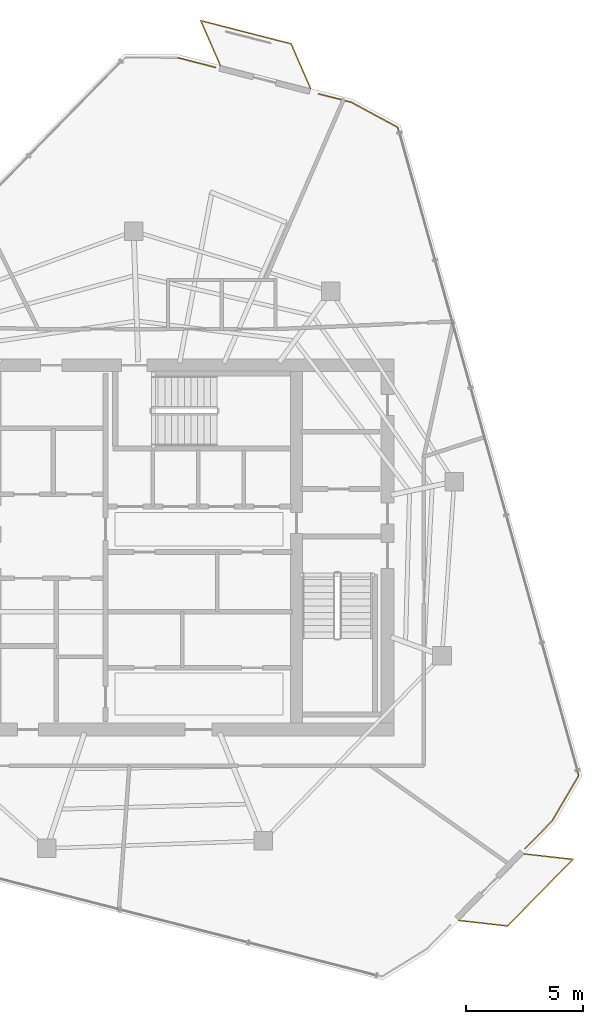
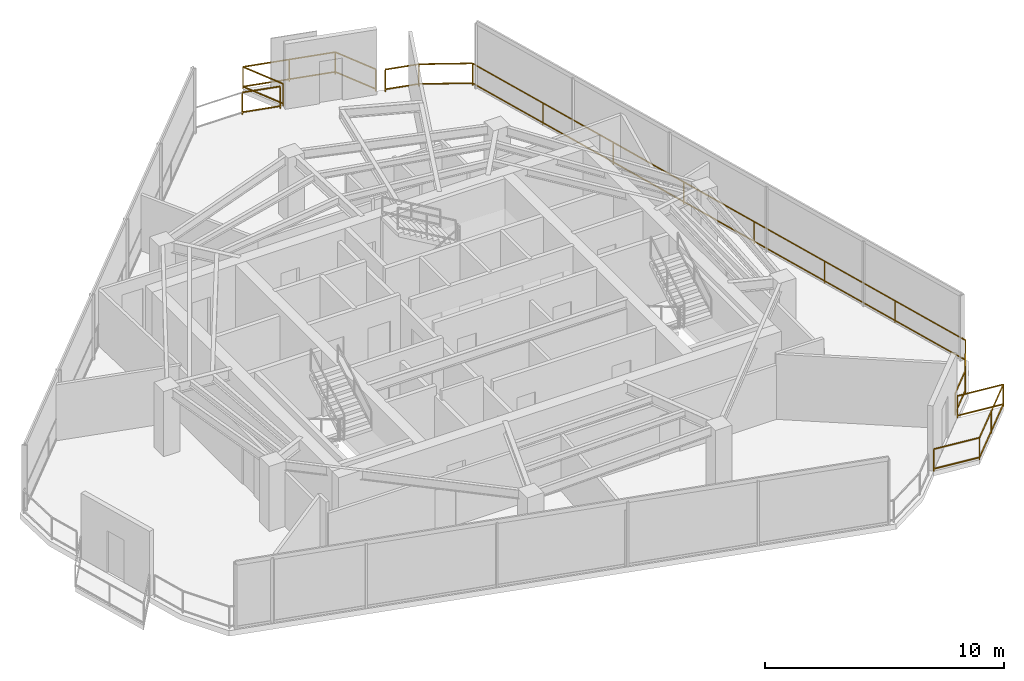
# One storey, part 18 of 18: 4 railings.
"""IFC4 building model written with IfcOpenShell, lengths in metres."""

from ifc_helpers import new_model, si_unit, direction, frame, origin, origin_2d, place, context, subcontext, project, spatial, rectangle, extrude, material, type_object, element, save


model = new_model("IFC4")

# Units and contexts
model_context = context("Model", 3, precision=1e-05, world=origin(), true_north=direction((0.0, 1.0)))
body_context = subcontext(model_context, "Body", "Model", "MODEL_VIEW")
ifc_project = project(units=[si_unit("LENGTHUNIT", "METRE"), si_unit("AREAUNIT", "SQUARE_METRE"), si_unit("VOLUMEUNIT", "CUBIC_METRE"), si_unit("PLANEANGLEUNIT", "RADIAN"), si_unit("MASSUNIT", "GRAM", prefix="KILO")], contexts=[model_context])

# Site, building, storey
site_placement = place(None, origin())
site = spatial("IfcSite", under=ifc_project, at=site_placement, CompositionType="ELEMENT")
building_placement = place(site_placement, origin())
building = spatial("IfcBuilding", under=site, at=building_placement, Name="Qarnah Convention Tower", CompositionType="ELEMENT")
storey_placement = place(building_placement, frame((0.0, 0.0, 239.10009765625)))
storey = spatial("IfcBuildingStorey", under=building, at=storey_placement, Name="L64", CompositionType="ELEMENT", Elevation=239.10009765625)

# Railings
ifc_material = material(Name="Black anodised aluminium", Category="aluminium")
railing_type = type_object("IfcRailingType", Name="RL-EXT-GUARD-1150", PredefinedType="GUARDRAIL", material=ifc_material)
railing_1_placement = place(storey_placement, frame((38.632080078125, 47.363037109375, 0.0)))
element("IfcRailing", 1, at=railing_1_placement, inside=storey, type_object=railing_type, Name="L64 slab-edge perimeter safety guard 01", PredefinedType="GUARDRAIL", context=body_context, shape_type="SweptSolid", body=[
    extrude(rectangle(XDim=0.048095703125, YDim=0.048095703125, at=origin_2d()), frame((0.0, 0.0, 1.1259765625), z_axis=(0.968567199398, -0.24875204572, 0.0), x_axis=(0.24875204572, 0.968567199398, 0.0)), (0.0, 0.0, 1.0), 1.65283203125),
    extrude(rectangle(XDim=0.048095703125, YDim=0.048095703125, at=origin_2d()), frame((0.0, 0.0, 0.1201171875), z_axis=(0.968567199398, -0.24875204572, 0.0), x_axis=(0.24875204572, 0.968567199398, 0.0)), (0.0, 0.0, 1.0), 1.65283203125),
    extrude(rectangle(XDim=0.0419921875, YDim=0.0419921875, at=origin_2d()), origin(), (0.0, 0.0, 1.0), 1.101806640625),
    extrude(rectangle(XDim=0.0419921875, YDim=0.0419921875, at=origin_2d()), frame((1.600830078125, -0.4111328125, 0.0)), (0.0, 0.0, 1.0), 1.101806640625),
])
railing_2_placement = place(storey_placement, frame((44.64794921875, 45.819091796875, 0.0)))
element("IfcRailing", 2, at=railing_2_placement, inside=storey, type_object=railing_type, Name="L64 slab-edge perimeter safety guard 02", PredefinedType="GUARDRAIL", context=body_context, shape_type="SweptSolid", body=[
    extrude(rectangle(XDim=0.048095703125, YDim=0.048095703125, at=origin_2d()), frame((0.0, 0.0, 1.1259765625), z_axis=(0.968671176065, -0.248346839442, 0.0), x_axis=(0.248346839442, 0.968671176065, 0.0)), (0.0, 0.0, 1.0), 1.442138671875),
    extrude(rectangle(XDim=0.048095703125, YDim=0.048095703125, at=origin_2d()), frame((0.0, 0.0, 0.1201171875), z_axis=(0.968671176065, -0.248346839442, 0.0), x_axis=(0.248346839442, 0.968671176065, 0.0)), (0.0, 0.0, 1.0), 1.442138671875),
    extrude(rectangle(XDim=0.048095703125, YDim=0.048095703125, at=origin_2d()), frame((1.39697265625, -0.358154296875, 1.1259765625), z_axis=(0.879531571857, -0.475840534325, 0.0), x_axis=(0.475840534325, 0.879531571857, 0.0)), (0.0, 0.0, 1.0), 2.257080078125),
    extrude(rectangle(XDim=0.048095703125, YDim=0.048095703125, at=origin_2d()), frame((1.39697265625, -0.358154296875, 0.1201171875), z_axis=(0.879531571857, -0.475840534325, 0.0), x_axis=(0.475840534325, 0.879531571857, 0.0)), (0.0, 0.0, 1.0), 2.257080078125),
    extrude(rectangle(XDim=0.048095703125, YDim=0.048095703125, at=origin_2d()), frame((3.382080078125, -1.43212890625, 1.1259765625), z_axis=(0.268918852119, -0.963162837206, 0.0), x_axis=(0.963162837206, 0.268918852119, 0.0)), (0.0, 0.0, 1.0), 28.82275390625),
    extrude(rectangle(XDim=0.048095703125, YDim=0.048095703125, at=origin_2d()), frame((3.382080078125, -1.43212890625, 0.1201171875), z_axis=(0.268918852119, -0.963162837206, 0.0), x_axis=(0.963162837206, 0.268918852119, 0.0)), (0.0, 0.0, 1.0), 28.82275390625),
    extrude(rectangle(XDim=0.048095703125, YDim=0.048095703125, at=origin_2d()), frame((11.133056640625, -29.193115234375, 1.1259765625), z_axis=(-0.505960967927, -0.862556374352, 0.0), x_axis=(0.862556374352, -0.505960967927, 0.0)), (0.0, 0.0, 1.0), 2.25732421875),
    extrude(rectangle(XDim=0.048095703125, YDim=0.048095703125, at=origin_2d()), frame((11.133056640625, -29.193115234375, 0.1201171875), z_axis=(-0.505960967927, -0.862556374352, 0.0), x_axis=(0.862556374352, -0.505960967927, 0.0)), (0.0, 0.0, 1.0), 2.25732421875),
    extrude(rectangle(XDim=0.048095703125, YDim=0.048095703125, at=origin_2d()), frame((9.990966796875, -31.14013671875, 1.1259765625), z_axis=(-0.699833661372, -0.714305849347, 0.0), x_axis=(0.714305849347, -0.699833661372, 0.0)), (0.0, 0.0, 1.0), 1.6533203125),
    extrude(rectangle(XDim=0.048095703125, YDim=0.048095703125, at=origin_2d()), frame((9.990966796875, -31.14013671875, 0.1201171875), z_axis=(-0.699833661372, -0.714305849347, 0.0), x_axis=(0.714305849347, -0.699833661372, 0.0)), (0.0, 0.0, 1.0), 1.6533203125),
    extrude(rectangle(XDim=0.0419921875, YDim=0.0419921875, at=origin_2d()), origin(), (0.0, 0.0, 1.0), 1.101806640625),
    extrude(rectangle(XDim=0.0419921875, YDim=0.0419921875, at=origin_2d()), frame((1.39697265625, -0.358154296875, 0.0)), (0.0, 0.0, 1.0), 1.101806640625),
    extrude(rectangle(XDim=0.0419921875, YDim=0.0419921875, at=origin_2d()), frame((3.382080078125, -1.43212890625, 0.0)), (0.0, 0.0, 1.0), 1.101806640625),
    extrude(rectangle(XDim=0.0419921875, YDim=0.0419921875, at=origin_2d()), frame((4.4892578125, -5.39794921875, 0.0)), (0.0, 0.0, 1.0), 1.101806640625),
    extrude(rectangle(XDim=0.0419921875, YDim=0.0419921875, at=origin_2d()), frame((5.5966796875, -9.36376953125, 0.0)), (0.0, 0.0, 1.0), 1.101806640625),
    extrude(rectangle(XDim=0.0419921875, YDim=0.0419921875, at=origin_2d()), frame((6.703857421875, -13.32958984375, 0.0)), (0.0, 0.0, 1.0), 1.101806640625),
    extrude(rectangle(XDim=0.0419921875, YDim=0.0419921875, at=origin_2d()), frame((7.811279296875, -17.295654296875, 0.0)), (0.0, 0.0, 1.0), 1.101806640625),
    extrude(rectangle(XDim=0.0419921875, YDim=0.0419921875, at=origin_2d()), frame((8.91845703125, -21.261474609375, 0.0)), (0.0, 0.0, 1.0), 1.101806640625),
    extrude(rectangle(XDim=0.0419921875, YDim=0.0419921875, at=origin_2d()), frame((10.02587890625, -25.227294921875, 0.0)), (0.0, 0.0, 1.0), 1.101806640625),
    extrude(rectangle(XDim=0.0419921875, YDim=0.0419921875, at=origin_2d()), frame((11.133056640625, -29.193115234375, 0.0)), (0.0, 0.0, 1.0), 1.101806640625),
    extrude(rectangle(XDim=0.0419921875, YDim=0.0419921875, at=origin_2d()), frame((9.990966796875, -31.14013671875, 0.0)), (0.0, 0.0, 1.0), 1.101806640625),
    extrude(rectangle(XDim=0.0419921875, YDim=0.0419921875, at=origin_2d()), frame((8.833984375, -32.321044921875, 0.0)), (0.0, 0.0, 1.0), 1.101806640625),
])
railing_3_placement = place(storey_placement, frame((40.43505859375, 47.0400390625, 0.0)))
element("IfcRailing", 3, at=railing_3_placement, inside=storey, type_object=railing_type, Name="L64 balcony safety guard BAL-L64-C1", PredefinedType="GUARDRAIL", context=body_context, shape_type="SweptSolid", body=[
    extrude(rectangle(XDim=0.048095703125, YDim=0.048095703125, at=origin_2d()), frame((0.0, 0.0, 1.1259765625), z_axis=(-0.400647604378, 0.916232228808, 0.0), x_axis=(-0.916232228808, -0.400647604378, 0.0)), (0.0, 0.0, 1.0), 2.094482421875),
    extrude(rectangle(XDim=0.048095703125, YDim=0.048095703125, at=origin_2d()), frame((0.0, 0.0, 0.1201171875), z_axis=(-0.400647604378, 0.916232228808, 0.0), x_axis=(-0.916232228808, -0.400647604378, 0.0)), (0.0, 0.0, 1.0), 2.094482421875),
    extrude(rectangle(XDim=0.048095703125, YDim=0.048095703125, at=origin_2d()), frame((-0.839111328125, 1.9189453125, 1.1259765625), z_axis=(0.9685866441, -0.248676321491, 0.0), x_axis=(0.248676321491, 0.9685866441, 0.0)), (0.0, 0.0, 1.0), 4.000732421875),
    extrude(rectangle(XDim=0.048095703125, YDim=0.048095703125, at=origin_2d()), frame((-0.839111328125, 1.9189453125, 0.1201171875), z_axis=(0.9685866441, -0.248676321491, 0.0), x_axis=(0.248676321491, 0.9685866441, 0.0)), (0.0, 0.0, 1.0), 4.000732421875),
    extrude(rectangle(XDim=0.048095703125, YDim=0.048095703125, at=origin_2d()), frame((3.035888671875, 0.924072265625, 1.1259765625), z_axis=(0.400213303784, -0.916422016035, 0.0), x_axis=(0.916422016035, 0.400213303784, 0.0)), (0.0, 0.0, 1.0), 2.09423828125),
    extrude(rectangle(XDim=0.048095703125, YDim=0.048095703125, at=origin_2d()), frame((3.035888671875, 0.924072265625, 0.1201171875), z_axis=(0.400213303784, -0.916422016035, 0.0), x_axis=(0.916422016035, 0.400213303784, 0.0)), (0.0, 0.0, 1.0), 2.09423828125),
    extrude(rectangle(XDim=0.0419921875, YDim=0.0419921875, at=origin_2d()), origin(), (0.0, 0.0, 1.0), 1.101806640625),
    extrude(rectangle(XDim=0.0419921875, YDim=0.0419921875, at=origin_2d()), frame((-0.839111328125, 1.9189453125, 0.0)), (0.0, 0.0, 1.0), 1.101806640625),
    extrude(rectangle(XDim=0.0419921875, YDim=0.0419921875, at=origin_2d()), frame((1.098388671875, 1.42138671875, 0.0)), (0.0, 0.0, 1.0), 1.101806640625),
    extrude(rectangle(XDim=0.0419921875, YDim=0.0419921875, at=origin_2d()), frame((3.035888671875, 0.924072265625, 0.0)), (0.0, 0.0, 1.0), 1.101806640625),
    extrude(rectangle(XDim=0.0419921875, YDim=0.0419921875, at=origin_2d()), frame((3.8740234375, -0.9951171875, 0.0)), (0.0, 0.0, 1.0), 1.101806640625),
])
railing_4_placement = place(storey_placement, frame((53.4580078125, 13.279052734375, 0.0)))
element("IfcRailing", 4, at=railing_4_placement, inside=storey, type_object=railing_type, Name="L64 balcony safety guard BAL-L64-C3", PredefinedType="GUARDRAIL", context=body_context, shape_type="SweptSolid", body=[
    extrude(rectangle(XDim=0.048095703125, YDim=0.048095703125, at=origin_2d()), frame((0.0, 0.0, 1.1259765625), z_axis=(0.993724835803, -0.111852361213, 0.0), x_axis=(0.111852361213, 0.993724835803, 0.0)), (0.0, 0.0, 1.0), 2.09326171875),
    extrude(rectangle(XDim=0.048095703125, YDim=0.048095703125, at=origin_2d()), frame((0.0, 0.0, 0.1201171875), z_axis=(0.993724835803, -0.111852361213, 0.0), x_axis=(0.111852361213, 0.993724835803, 0.0)), (0.0, 0.0, 1.0), 2.09326171875),
    extrude(rectangle(XDim=0.048095703125, YDim=0.048095703125, at=origin_2d()), frame((2.080078125, -0.234130859375, 1.1259765625), z_axis=(-0.699589733488, -0.71454475353, 0.0), x_axis=(0.71454475353, -0.699589733488, 0.0)), (0.0, 0.0, 1.0), 3.99951171875),
    extrude(rectangle(XDim=0.048095703125, YDim=0.048095703125, at=origin_2d()), frame((2.080078125, -0.234130859375, 0.1201171875), z_axis=(-0.699589733488, -0.71454475353, 0.0), x_axis=(0.71454475353, -0.699589733488, 0.0)), (0.0, 0.0, 1.0), 3.99951171875),
    extrude(rectangle(XDim=0.048095703125, YDim=0.048095703125, at=origin_2d()), frame((-0.718017578125, -3.092041015625, 1.1259765625), z_axis=(-0.993743614103, 0.111685403837, 0.0), x_axis=(-0.111685403837, -0.993743614103, 0.0)), (0.0, 0.0, 1.0), 2.09423828125),
    extrude(rectangle(XDim=0.048095703125, YDim=0.048095703125, at=origin_2d()), frame((-0.718017578125, -3.092041015625, 0.1201171875), z_axis=(-0.993743614103, 0.111685403837, 0.0), x_axis=(-0.111685403837, -0.993743614103, 0.0)), (0.0, 0.0, 1.0), 2.09423828125),
    extrude(rectangle(XDim=0.0419921875, YDim=0.0419921875, at=origin_2d()), origin(), (0.0, 0.0, 1.0), 1.101806640625),
    extrude(rectangle(XDim=0.0419921875, YDim=0.0419921875, at=origin_2d()), frame((2.080078125, -0.234130859375, 0.0)), (0.0, 0.0, 1.0), 1.101806640625),
    extrude(rectangle(XDim=0.0419921875, YDim=0.0419921875, at=origin_2d()), frame((0.68115234375, -1.6630859375, 0.0)), (0.0, 0.0, 1.0), 1.101806640625),
    extrude(rectangle(XDim=0.0419921875, YDim=0.0419921875, at=origin_2d()), frame((-0.718017578125, -3.092041015625, 0.0)), (0.0, 0.0, 1.0), 1.101806640625),
    extrude(rectangle(XDim=0.0419921875, YDim=0.0419921875, at=origin_2d()), frame((-2.799072265625, -2.858154296875, 0.0)), (0.0, 0.0, 1.0), 1.101806640625),
])

save(model, "model.ifc")
